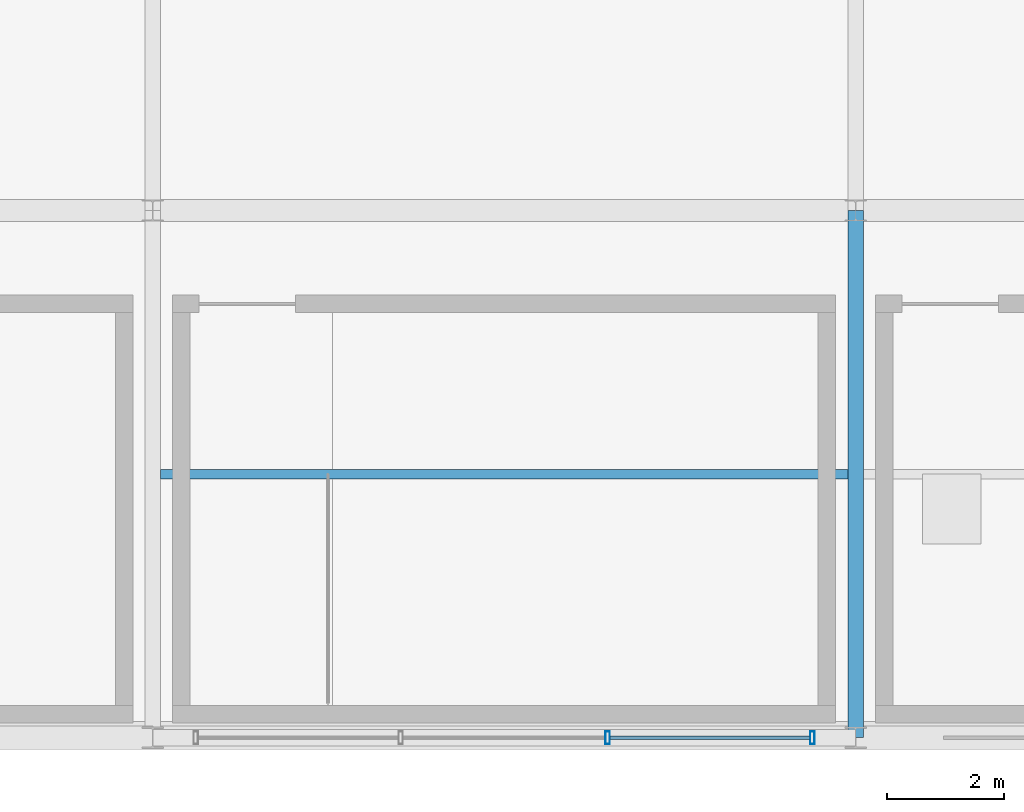
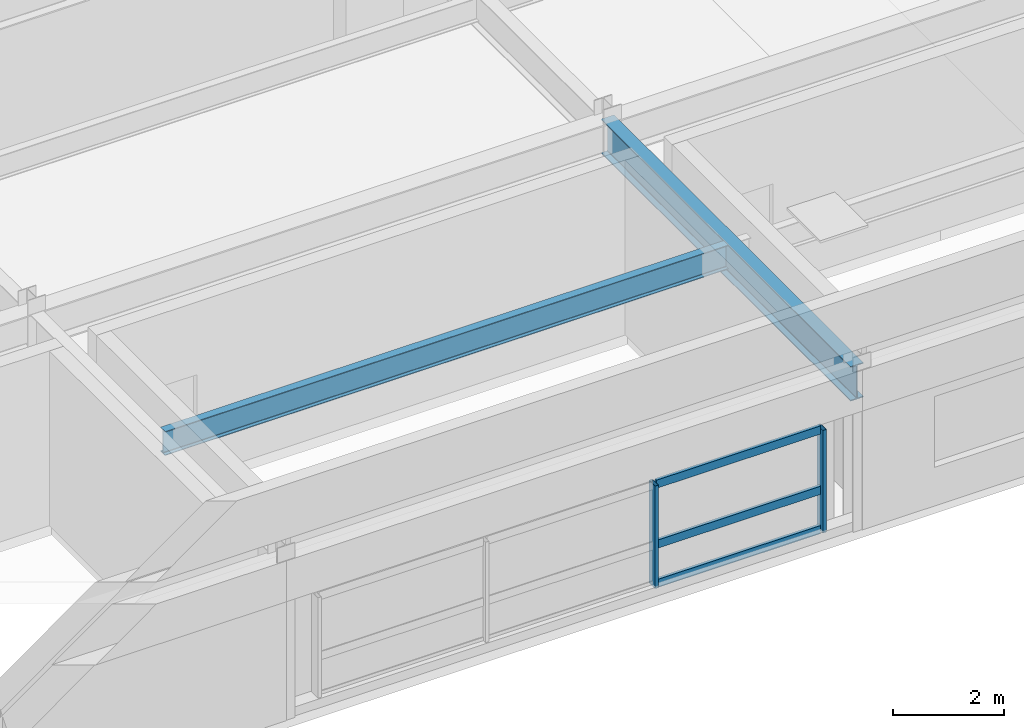
# One storey, part 25 of 108: 5 members, 2 beams, 1 element without a shape of its own.
"""IFC4 building model written with IfcOpenShell, lengths in metres."""

from ifc_helpers import new_model, si_unit, direction, frame, origin, origin_2d, place, context, subcontext, project, spatial, hollow_rectangle, i_section, extrude, material, material_profile, profile_set, type_object, element, aggregate, save


model = new_model("IFC4")

# Units and contexts
model_context = context("Model", 3, precision=1e-05, world=origin(), true_north=direction((0.0, 1.0)))
body_context = subcontext(model_context, "Body", "Model", "MODEL_VIEW")
ifc_project = project(units=[si_unit("LENGTHUNIT", "METRE"), si_unit("AREAUNIT", "SQUARE_METRE"), si_unit("VOLUMEUNIT", "CUBIC_METRE"), si_unit("PLANEANGLEUNIT", "RADIAN"), si_unit("MASSUNIT", "GRAM", prefix="KILO")], contexts=[model_context])

# Site, building, storey
site_placement = place(None, origin())
site = spatial("IfcSite", under=ifc_project, at=site_placement, CompositionType="ELEMENT")
building_placement = place(site_placement, origin())
building = spatial("IfcBuilding", under=site, at=building_placement, Name="Kaldorvane Square Convention Centre", CompositionType="ELEMENT")
storey_placement = place(building_placement, frame((0.0, 0.0, 23.399993896484375)))
storey = spatial("IfcBuildingStorey", under=building, at=storey_placement, Name="L04", CompositionType="ELEMENT", Elevation=23.399993896484375)

# Beams
ifc_material_1 = material(Name="Steel ASTM A992 Gr. 50", Category="steel")
ifc_material_profile_1 = material_profile(ifc_material_1, i_section(OverallWidth=0.2666015625, OverallDepth=0.762298583984375, WebThickness=0.014404296875, FlangeThickness=0.0216064453125, FilletRadius=0.0164947509765625, at=origin_2d()), Name="W30X116")
ifc_profile_set_1 = profile_set([ifc_material_profile_1], Name="Steel ASTM A992 Gr. 50")
beam_type_1 = type_object("IfcBeamType", Name="BM-GR-W30X116", PredefinedType="BEAM", material=ifc_profile_set_1)
beam_1_placement = place(storey_placement, frame((54.0, 0.0, 3.144805908203125), z_axis=(0.0, 1.0, 0.0), x_axis=(-1.0, 0.0, 0.0)))
element("IfcBeam", 1, at=beam_1_placement, inside=storey, type_object=beam_type_1, Name="Transverse Girder (L04)", PredefinedType="BEAM", context=body_context, shape_type="SweptSolid", body=[
    extrude(i_section(OverallWidth=0.2666015625, OverallDepth=0.762298583984375, WebThickness=0.014404296875, FlangeThickness=0.0216064453125, FilletRadius=0.0164947509765625, at=origin_2d()), origin(), (0.0, 0.0, 1.0), 9.0),
])
ifc_material_profile_2 = material_profile(ifc_material_1, i_section(OverallWidth=0.1658935546875, OverallDepth=0.5290985107421875, WebThickness=0.00970458984375, FlangeThickness=0.0135955810546875, FilletRadius=0.0126953125, at=origin_2d()), Name="W21X50")
ifc_profile_set_2 = profile_set([ifc_material_profile_2], Name="Steel ASTM A992 Gr. 50")
beam_type_2 = type_object("IfcBeamType", Name="BM-JS-W21X50", PredefinedType="JOIST", material=ifc_profile_set_2)
beam_2_placement = place(storey_placement, frame((42.13330078125, 4.5, 3.26141357421875), z_axis=(1.0, 0.0, 0.0), x_axis=(0.0, 1.0, 0.0)))
element("IfcBeam", 2, at=beam_2_placement, inside=storey, type_object=beam_type_2, Name="Secondary Floor Joist (L04)", PredefinedType="JOIST", context=body_context, shape_type="SweptSolid", body=[
    extrude(i_section(OverallWidth=0.1658935546875, OverallDepth=0.5290985107421875, WebThickness=0.00970458984375, FlangeThickness=0.0135955810546875, FilletRadius=0.0126953125, at=origin_2d()), origin(), (0.0, 0.0, 1.0), 11.7333984375),
])

# Curtain wall, members
ifc_material_2 = material(Name="Anodized Aluminum and Low-E Insulated Glazing", Category="aluminium")
curtain_wall_type = type_object("IfcCurtainWallType", Name="CW-UNI-P42-12", PredefinedType="USERDEFINED", material=ifc_material_2)
curtain_wall_placement = place(storey_placement, origin())
curtain_wall = element("IfcCurtainWall", 3, at=curtain_wall_placement, inside=storey, type_object=curtain_wall_type, Name="Curtain Wall CW-05 (L04)", ObjectType="UNITISED GLAZING", PredefinedType="USERDEFINED")
ifc_material_profile_3 = material_profile(ifc_material_2, hollow_rectangle(XDim=0.0749969482421875, YDim=0.220001220703125, WallThickness=0.003997802734375, at=origin_2d()), Name="CWM-220X75")
ifc_profile_set_3 = profile_set([ifc_material_profile_3], Name="Anodized Aluminum and Low-E Insulated Glazing")
member_type_1 = type_object("IfcMemberType", Name="CW-MUL-220", PredefinedType="MULLION", material=ifc_profile_set_3)
member_1_placement = place(storey_placement, frame((49.76666259765625, 0.0, 0.1500091552734375), z_axis=(0.0, 0.0, 1.0), x_axis=(1.0, 0.0, 0.0)))
member_1 = element("IfcMember", 4, at=member_1_placement, type_object=member_type_1, Name="CW-05 mullion 3", PredefinedType="MULLION", context=body_context, shape_type="SweptSolid", body=[
    extrude(hollow_rectangle(XDim=0.0749969482421875, YDim=0.220001220703125, WallThickness=0.003997802734375, at=origin_2d()), origin(), (0.0, 0.0, 1.0), 2.2599945068359375),
])
member_2_placement = place(storey_placement, frame((53.26249694824219, 0.0, 0.1500091552734375), z_axis=(0.0, 0.0, 1.0), x_axis=(1.0, 0.0, 0.0)))
member_2 = element("IfcMember", 5, at=member_2_placement, type_object=member_type_1, Name="CW-05 mullion 4", PredefinedType="MULLION", context=body_context, shape_type="SweptSolid", body=[
    extrude(hollow_rectangle(XDim=0.0749969482421875, YDim=0.220001220703125, WallThickness=0.003997802734375, at=origin_2d()), origin(), (0.0, 0.0, 1.0), 2.2599945068359375),
])
ifc_material_profile_4 = material_profile(ifc_material_2, hollow_rectangle(XDim=0.06500244140625, YDim=0.17999267578125, WallThickness=0.0034942626953125, at=origin_2d()), Name="CWT-180X65")
ifc_profile_set_4 = profile_set([ifc_material_profile_4], Name="Anodized Aluminum and Low-E Insulated Glazing")
member_type_2 = type_object("IfcMemberType", Name="CW-TRN-180", PredefinedType="USERDEFINED", material=ifc_profile_set_4)
member_3_placement = place(storey_placement, frame((49.804168701171875, 0.0, 0.1825103759765625), z_axis=(1.0, 0.0, 0.0), x_axis=(0.0, 1.0, 0.0)))
member_3 = element("IfcMember", 6, at=member_3_placement, type_object=member_type_2, Name="CW-05 transom 3.1", ObjectType="TRANSOM", PredefinedType="USERDEFINED", context=body_context, shape_type="SweptSolid", body=[
    extrude(hollow_rectangle(XDim=0.06500244140625, YDim=0.17999267578125, WallThickness=0.0034942626953125, at=origin_2d()), origin(), (0.0, 0.0, 1.0), 3.42083740234375),
])
member_4_placement = place(storey_placement, frame((49.804168701171875, 0.0, 1.0500030517578125), z_axis=(1.0, 0.0, 0.0), x_axis=(0.0, 1.0, 0.0)))
member_4 = element("IfcMember", 7, at=member_4_placement, type_object=member_type_2, Name="CW-05 transom 3.2", ObjectType="TRANSOM", PredefinedType="USERDEFINED", context=body_context, shape_type="SweptSolid", body=[
    extrude(hollow_rectangle(XDim=0.06500244140625, YDim=0.17999267578125, WallThickness=0.0034942626953125, at=origin_2d()), origin(), (0.0, 0.0, 1.0), 3.42083740234375),
])
member_5_placement = place(storey_placement, frame((49.804168701171875, 0.0, 2.37750244140625), z_axis=(1.0, 0.0, 0.0), x_axis=(0.0, 1.0, 0.0)))
member_5 = element("IfcMember", 8, at=member_5_placement, type_object=member_type_2, Name="CW-05 transom 3.3", ObjectType="TRANSOM", PredefinedType="USERDEFINED", context=body_context, shape_type="SweptSolid", body=[
    extrude(hollow_rectangle(XDim=0.06500244140625, YDim=0.17999267578125, WallThickness=0.0034942626953125, at=origin_2d()), origin(), (0.0, 0.0, 1.0), 3.42083740234375),
])
aggregate(curtain_wall, [member_1, member_2, member_3, member_4, member_5])

save(model, "model.ifc")
